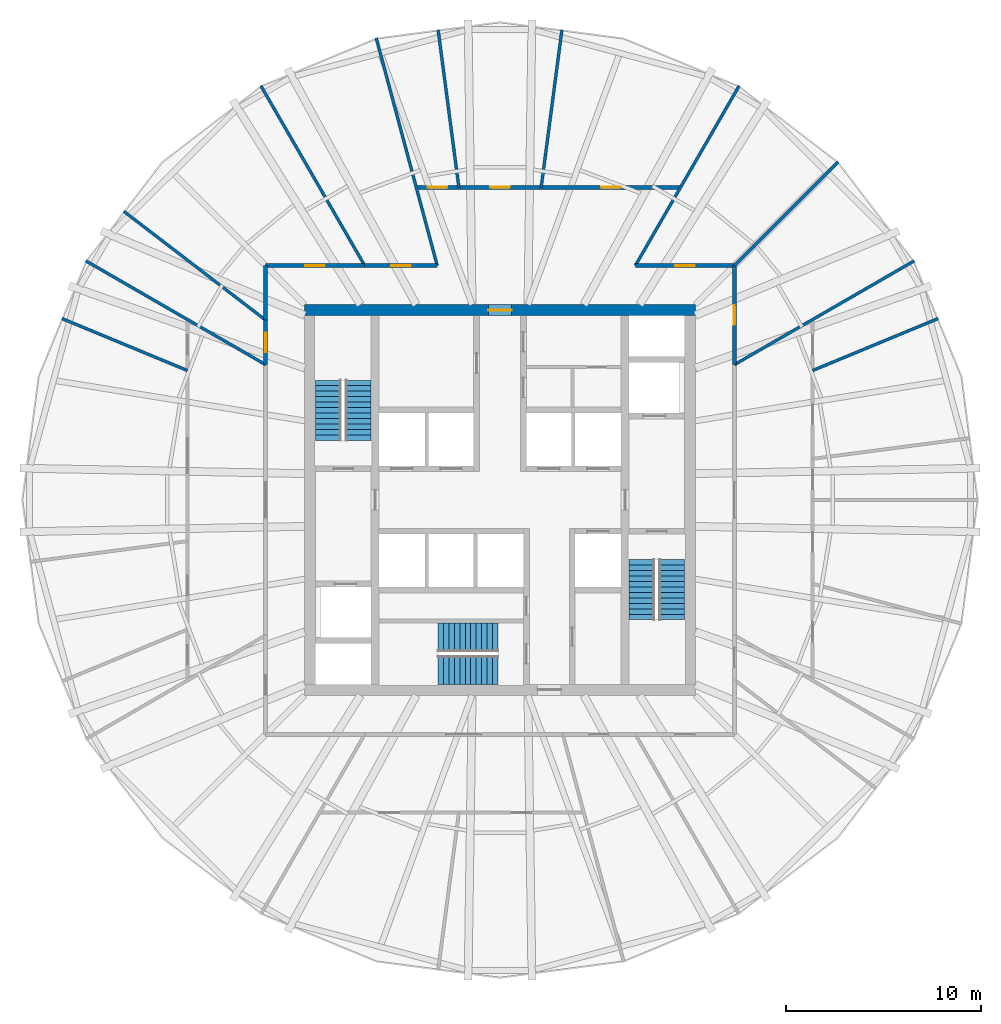
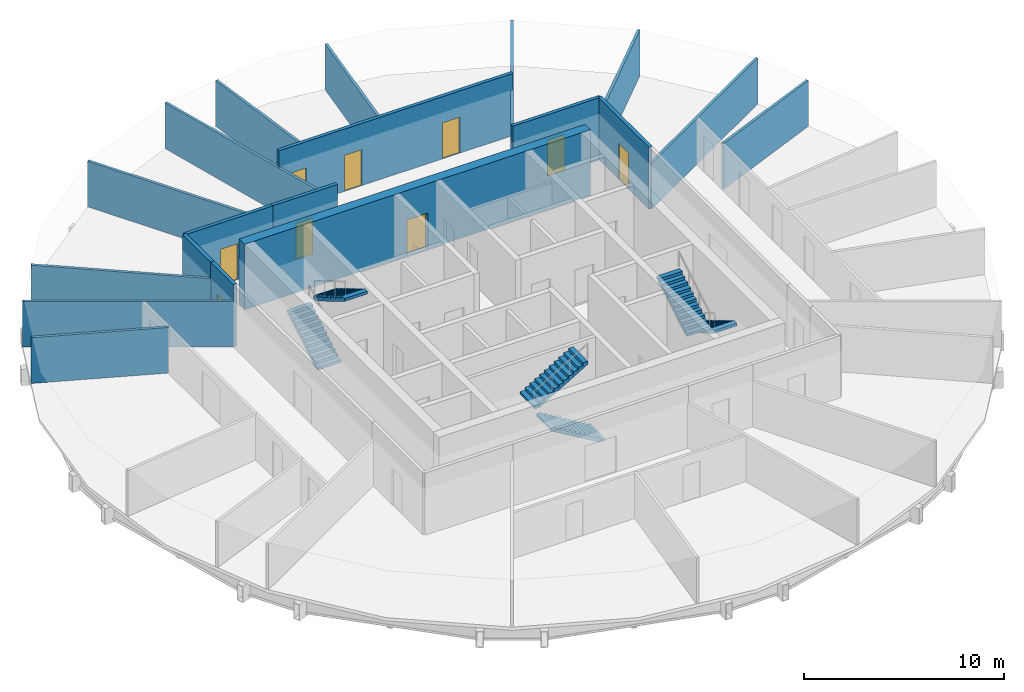
# One storey, part 5 of 6: 19 walls, 9 doors, 6 stair flights, 9 openings, 3 elements without a shape of their own.
"""IFC4 building model written with IfcOpenShell, lengths in metres."""

from ifc_helpers import new_model, si_unit, direction, frame, frame_2d, origin, place, context, subcontext, project, spatial, polyline, rectangle, outline, extrude, material, layer, layer_set, type_object, element, fill, aggregate, save


model = new_model("IFC4")

# Units and contexts
model_context = context("Model", 3, precision=1e-05, world=origin(), true_north=direction((0.0, 1.0)))
body_context = subcontext(model_context, "Body", "Model", "MODEL_VIEW")
ifc_project = project(units=[si_unit("LENGTHUNIT", "METRE"), si_unit("AREAUNIT", "SQUARE_METRE"), si_unit("VOLUMEUNIT", "CUBIC_METRE"), si_unit("PLANEANGLEUNIT", "RADIAN"), si_unit("MASSUNIT", "GRAM", prefix="KILO")], contexts=[model_context])

# Site, building, storey
site_placement = place(None, origin())
site = spatial("IfcSite", under=ifc_project, at=site_placement, CompositionType="ELEMENT")
building_placement = place(site_placement, origin())
building = spatial("IfcBuilding", under=site, at=building_placement, Name="Golbaran Civic Tower", CompositionType="ELEMENT")
storey_placement = place(building_placement, frame((0.0, 0.0, 114.0)))
storey = spatial("IfcBuildingStorey", under=building, at=storey_placement, Name="L27", CompositionType="ELEMENT", Elevation=114.0)

# Wall, opening, door
ifc_material_1 = material(Name="Concrete C50/60", Category="concrete")
ifc_layer_1 = layer(ifc_material_1, 0.550048828125, Name="Concrete C50/60")
ifc_layer_set_1 = layer_set([ifc_layer_1], Name="Concrete C50/60")
wall_type_1 = type_object("IfcWallType", Name="CORE WALL CONCRETE 550", PredefinedType="SOLIDWALL", material=ifc_layer_set_1)
wall_1_placement = place(storey_placement, frame((-10.0, 9.72509765625, 0.0), z_axis=(0.0, 0.0, 1.0), x_axis=(1.0, 0.0, 0.0)))
wall_1 = element("IfcWall", 1, at=wall_1_placement, inside=storey, type_object=wall_type_1, Name="Core wall CN L27", PredefinedType="SOLIDWALL", context=body_context, shape_type="SweptSolid", body=[
    extrude(rectangle(XDim=20.0, YDim=0.550048828125, at=frame_2d((10.0, 0.0))), origin(), (0.0, 0.0, 1.0), 4.0),
])
opening_1_placement = place(wall_1_placement, frame((9.39990234375, 0.0, 0.0)))
opening_1 = element("IfcOpeningElement", 2, at=opening_1_placement, cuts=wall_1, Name="Opening L27.CN", PredefinedType="OPENING", context=body_context, shape_type="SweptSolid", body=[
    extrude(rectangle(XDim=1.199951171875, YDim=2.199951171875, at=frame_2d((0.60009765625, 1.10009765625))), frame((0.0, 0.284912109375, 0.0), z_axis=(0.0, -1.0, 0.0), x_axis=(1.0, 0.0, 0.0)), (0.0, 0.0, 1.0), 0.570068359375),
])
ifc_material_2 = material(Name="Timber door set in steel frame", Category="steel")
door_type_1 = type_object("IfcDoorType", Name="CORE DOOR 1200x2200", OperationType="DOUBLE_DOOR_SINGLE_SWING", PredefinedType="DOOR", material=ifc_material_2)
door_1_placement = place(opening_1_placement, origin())
door_1 = element("IfcDoor", 3, at=door_1_placement, inside=storey, type_object=door_type_1, Name="Core door north", OperationType="DOUBLE_DOOR_SINGLE_SWING", OverallHeight=2.199951171875, OverallWidth=1.199951171875, PredefinedType="DOOR", context=body_context, shape_type="SweptSolid", body=[
    extrude(rectangle(XDim=1.199951171875, YDim=2.199951171875, at=frame_2d((0.60009765625, 1.10009765625))), frame((0.0, 0.02490234375, 0.0), z_axis=(0.0, -1.0, 0.0), x_axis=(1.0, 0.0, 0.0)), (0.0, 0.0, 1.0), 0.050048828125),
])
fill(opening_1, door_1)

ifc_material_3 = material(Name="Gypsum board on steel studs, fire-rated", Category="steel")
ifc_layer_2 = layer(ifc_material_3, 0.199951171875, Name="Gypsum board on steel studs, fire-rated")
ifc_layer_set_2 = layer_set([ifc_layer_2], Name="Gypsum board on steel studs, fire-rated")
wall_type_2 = type_object("IfcWallType", Name="CORRIDOR WALL 200", PredefinedType="PARTITIONING", material=ifc_layer_set_2)
wall_2_placement = place(storey_placement, frame((12.0, 6.92822265625, 0.0), z_axis=(0.0, 0.0, 1.0), x_axis=(0.0, 1.0, 0.0)))
wall_2 = element("IfcWall", 4, at=wall_2_placement, inside=storey, type_object=wall_type_2, Name="Corridor wall L27", PredefinedType="PARTITIONING", context=body_context, shape_type="SweptSolid", body=[
    extrude(rectangle(XDim=5.07177734375, YDim=0.199951171875, at=frame_2d((2.535888671875, 0.0))), origin(), (0.0, 0.0, 1.0), 3.800048828125),
])
opening_2_placement = place(wall_2_placement, frame((2.035888671875, 0.0, 0.0)))
opening_2 = element("IfcOpeningElement", 5, at=opening_2_placement, cuts=wall_2, Name="Opening L27.16", PredefinedType="OPENING", context=body_context, shape_type="SweptSolid", body=[
    extrude(rectangle(XDim=1.0, YDim=2.199951171875, at=frame_2d((0.5, 1.10009765625))), frame((0.0, 0.10986328125, 0.0), z_axis=(0.0, -1.0, 0.0), x_axis=(1.0, 0.0, 0.0)), (0.0, 0.0, 1.0), 0.219970703125),
])
door_type_2 = type_object("IfcDoorType", Name="OFFICE DOOR 1000x2200", OperationType="SINGLE_SWING_LEFT", PredefinedType="DOOR", material=ifc_material_2)
door_2_placement = place(opening_2_placement, origin())
door_2 = element("IfcDoor", 6, at=door_2_placement, inside=storey, type_object=door_type_2, Name="Prayer Room door L27", OperationType="SINGLE_SWING_LEFT", OverallHeight=2.199951171875, OverallWidth=1.0, PredefinedType="DOOR", context=body_context, shape_type="SweptSolid", body=[
    extrude(rectangle(XDim=1.0, YDim=2.199951171875, at=frame_2d((0.5, 1.10009765625))), frame((0.0, 0.02490234375, 0.0), z_axis=(0.0, -1.0, 0.0), x_axis=(1.0, 0.0, 0.0)), (0.0, 0.0, 1.0), 0.050048828125),
])
fill(opening_2, door_2)

wall_3_placement = place(storey_placement, frame((12.0, 12.0, 0.0), z_axis=(0.0, 0.0, 1.0), x_axis=(-1.0, 0.0, 0.0)))
wall_3 = element("IfcWall", 7, at=wall_3_placement, inside=storey, type_object=wall_type_2, Name="Corridor wall L27", PredefinedType="PARTITIONING", context=body_context, shape_type="SweptSolid", body=[
    extrude(rectangle(XDim=5.07177734375, YDim=0.199951171875, at=frame_2d((2.535888671875, 0.0))), origin(), (0.0, 0.0, 1.0), 3.800048828125),
])
opening_3_placement = place(wall_3_placement, frame((2.035888671875, 0.0, 0.0)))
opening_3 = element("IfcOpeningElement", 8, at=opening_3_placement, cuts=wall_3, Name="Opening L27.17", PredefinedType="OPENING", context=body_context, shape_type="SweptSolid", body=[
    extrude(rectangle(XDim=1.0, YDim=2.199951171875, at=frame_2d((0.5, 1.10009765625))), frame((0.0, 0.10986328125, 0.0), z_axis=(0.0, -1.0, 0.0), x_axis=(1.0, 0.0, 0.0)), (0.0, 0.0, 1.0), 0.219970703125),
])
door_3_placement = place(opening_3_placement, origin())
door_3 = element("IfcDoor", 9, at=door_3_placement, inside=storey, type_object=door_type_2, Name="Pantry door L27", OperationType="SINGLE_SWING_RIGHT", OverallHeight=2.199951171875, OverallWidth=1.0, PredefinedType="DOOR", context=body_context, shape_type="SweptSolid", body=[
    extrude(rectangle(XDim=1.0, YDim=2.199951171875, at=frame_2d((0.5, 1.10009765625))), frame((0.0, 0.02490234375, 0.0), z_axis=(0.0, -1.0, 0.0), x_axis=(1.0, 0.0, 0.0)), (0.0, 0.0, 1.0), 0.050048828125),
])
fill(opening_3, door_3)

wall_4_placement = place(storey_placement, frame((-3.21533203125, 12.0, 0.0), z_axis=(0.0, 0.0, 1.0), x_axis=(-1.0, 0.0, 0.0)))
wall_4 = element("IfcWall", 10, at=wall_4_placement, inside=storey, type_object=wall_type_2, Name="Corridor wall L27", PredefinedType="PARTITIONING", context=body_context, shape_type="SweptSolid", body=[
    extrude(rectangle(XDim=3.712890625, YDim=0.199951171875, at=frame_2d((1.8564453125, 0.0))), origin(), (0.0, 0.0, 1.0), 3.800048828125),
])
opening_4_placement = place(wall_4_placement, frame((1.3564453125, 0.0, 0.0)))
opening_4 = element("IfcOpeningElement", 11, at=opening_4_placement, cuts=wall_4, Name="Opening L27.18", PredefinedType="OPENING", context=body_context, shape_type="SweptSolid", body=[
    extrude(rectangle(XDim=1.0, YDim=2.199951171875, at=frame_2d((0.5, 1.10009765625))), frame((0.0, 0.10986328125, 0.0), z_axis=(0.0, -1.0, 0.0), x_axis=(1.0, 0.0, 0.0)), (0.0, 0.0, 1.0), 0.219970703125),
])
door_4_placement = place(opening_4_placement, origin())
door_4 = element("IfcDoor", 12, at=door_4_placement, inside=storey, type_object=door_type_2, Name="Meeting Room door L27", OperationType="SINGLE_SWING_RIGHT", OverallHeight=2.199951171875, OverallWidth=1.0, PredefinedType="DOOR", context=body_context, shape_type="SweptSolid", body=[
    extrude(rectangle(XDim=1.0, YDim=2.199951171875, at=frame_2d((0.5, 1.10009765625))), frame((0.0, 0.02490234375, 0.0), z_axis=(0.0, -1.0, 0.0), x_axis=(1.0, 0.0, 0.0)), (0.0, 0.0, 1.0), 0.050048828125),
])
fill(opening_4, door_4)

wall_5_placement = place(storey_placement, frame((-6.92822265625, 12.0, 0.0), z_axis=(0.0, 0.0, 1.0), x_axis=(-1.0, 0.0, 0.0)))
wall_5 = element("IfcWall", 13, at=wall_5_placement, inside=storey, type_object=wall_type_2, Name="Corridor wall L27", PredefinedType="PARTITIONING", context=body_context, shape_type="SweptSolid", body=[
    extrude(rectangle(XDim=5.07177734375, YDim=0.199951171875, at=frame_2d((2.535888671875, 0.0))), origin(), (0.0, 0.0, 1.0), 3.800048828125),
])
opening_5_placement = place(wall_5_placement, frame((2.035888671875, 0.0, 0.0)))
opening_5 = element("IfcOpeningElement", 14, at=opening_5_placement, cuts=wall_5, Name="Opening L27.19", PredefinedType="OPENING", context=body_context, shape_type="SweptSolid", body=[
    extrude(rectangle(XDim=1.0, YDim=2.199951171875, at=frame_2d((0.5, 1.10009765625))), frame((0.0, 0.10986328125, 0.0), z_axis=(0.0, -1.0, 0.0), x_axis=(1.0, 0.0, 0.0)), (0.0, 0.0, 1.0), 0.219970703125),
])
door_5_placement = place(opening_5_placement, origin())
door_5 = element("IfcDoor", 15, at=door_5_placement, inside=storey, type_object=door_type_2, Name="Meeting Room door L27", OperationType="SINGLE_SWING_RIGHT", OverallHeight=2.199951171875, OverallWidth=1.0, PredefinedType="DOOR", context=body_context, shape_type="SweptSolid", body=[
    extrude(rectangle(XDim=1.0, YDim=2.199951171875, at=frame_2d((0.5, 1.10009765625))), frame((0.0, 0.02490234375, 0.0), z_axis=(0.0, -1.0, 0.0), x_axis=(1.0, 0.0, 0.0)), (0.0, 0.0, 1.0), 0.050048828125),
])
fill(opening_5, door_5)

# Wall
wall_6_placement = place(storey_placement, frame((-12.0, 12.0, 0.0), z_axis=(0.0, 0.0, 1.0), x_axis=(0.0, -1.0, 0.0)))
element("IfcWall", 16, at=wall_6_placement, inside=storey, type_object=wall_type_2, Name="Corridor wall L27", PredefinedType="PARTITIONING", context=body_context, shape_type="SweptSolid", body=[
    extrude(rectangle(XDim=2.7919921875, YDim=0.199951171875, at=frame_2d((1.39599609375, 0.0))), origin(), (0.0, 0.0, 1.0), 3.800048828125),
])

# Wall, opening, door
wall_7_placement = place(storey_placement, frame((-12.0, 9.2080078125, 0.0), z_axis=(0.0, 0.0, 1.0), x_axis=(0.0, -1.0, 0.0)))
wall_7 = element("IfcWall", 17, at=wall_7_placement, inside=storey, type_object=wall_type_2, Name="Corridor wall L27", PredefinedType="PARTITIONING", context=body_context, shape_type="SweptSolid", body=[
    extrude(rectangle(XDim=2.27978515625, YDim=0.199951171875, at=frame_2d((1.139892578125, 0.0))), origin(), (0.0, 0.0, 1.0), 3.800048828125),
])
opening_6_placement = place(wall_7_placement, frame((0.639892578125, 0.0, 0.0)))
opening_6 = element("IfcOpeningElement", 18, at=opening_6_placement, cuts=wall_7, Name="Opening L27.20", PredefinedType="OPENING", context=body_context, shape_type="SweptSolid", body=[
    extrude(rectangle(XDim=1.0, YDim=2.199951171875, at=frame_2d((0.5, 1.10009765625))), frame((0.0, 0.10986328125, 0.0), z_axis=(0.0, -1.0, 0.0), x_axis=(1.0, 0.0, 0.0)), (0.0, 0.0, 1.0), 0.219970703125),
])
door_6_placement = place(opening_6_placement, origin())
door_6 = element("IfcDoor", 19, at=door_6_placement, inside=storey, type_object=door_type_2, Name="Print and Copy Room door L27", OperationType="SINGLE_SWING_RIGHT", OverallHeight=2.199951171875, OverallWidth=1.0, PredefinedType="DOOR", context=body_context, shape_type="SweptSolid", body=[
    extrude(rectangle(XDim=1.0, YDim=2.199951171875, at=frame_2d((0.5, 1.10009765625))), frame((0.0, 0.02490234375, 0.0), z_axis=(0.0, -1.0, 0.0), x_axis=(1.0, 0.0, 0.0)), (0.0, 0.0, 1.0), 0.050048828125),
])
fill(opening_6, door_6)

# Wall, openings, doors
ifc_material_4 = material(Name="Gypsum board on steel studs, fire-rated, glazed panels", Category="steel")
ifc_layer_3 = layer(ifc_material_4, 0.199951171875, Name="Gypsum board on steel studs, fire-rated, glazed panels")
ifc_layer_set_3 = layer_set([ifc_layer_3], Name="Gypsum board on steel studs, fire-rated, glazed panels")
wall_type_3 = type_object("IfcWallType", Name="GALLERY WALL 200", PredefinedType="PARTITIONING", material=ifc_layer_set_3)
wall_8_placement = place(storey_placement, frame((9.237548828125, 16.0, 0.0), z_axis=(0.0, 0.0, 1.0), x_axis=(-1.0, 0.0, 0.0)))
wall_8 = element("IfcWall", 20, at=wall_8_placement, inside=storey, type_object=wall_type_3, Name="Gallery wall L27", PredefinedType="PARTITIONING", context=body_context, shape_type="SweptSolid", body=[
    extrude(rectangle(XDim=13.524658203125, YDim=0.199951171875, at=frame_2d((6.76220703125, 0.0))), origin(), (0.0, 0.0, 1.0), 3.800048828125),
])
opening_7_placement = place(wall_8_placement, frame((3.065673828125, 0.0, 0.0)))
opening_7 = element("IfcOpeningElement", 21, at=opening_7_placement, cuts=wall_8, Name="Opening L27.06", PredefinedType="OPENING", context=body_context, shape_type="SweptSolid", body=[
    extrude(rectangle(XDim=1.0, YDim=2.199951171875, at=frame_2d((0.5, 1.10009765625))), frame((0.0, 0.10986328125, 0.0), z_axis=(0.0, -1.0, 0.0), x_axis=(1.0, 0.0, 0.0)), (0.0, 0.0, 1.0), 0.219970703125),
])
opening_8_placement = place(wall_8_placement, frame((8.737548828125, 0.0, 0.0)))
opening_8 = element("IfcOpeningElement", 22, at=opening_8_placement, cuts=wall_8, Name="Opening L27.07", PredefinedType="OPENING", context=body_context, shape_type="SweptSolid", body=[
    extrude(rectangle(XDim=1.0, YDim=2.199951171875, at=frame_2d((0.5, 1.10009765625))), frame((0.0, 0.10986328125, 0.0), z_axis=(0.0, -1.0, 0.0), x_axis=(1.0, 0.0, 0.0)), (0.0, 0.0, 1.0), 0.219970703125),
])
opening_9_placement = place(wall_8_placement, frame((11.934326171875, 0.0, 0.0)))
opening_9 = element("IfcOpeningElement", 23, at=opening_9_placement, cuts=wall_8, Name="Opening L27.08", PredefinedType="OPENING", context=body_context, shape_type="SweptSolid", body=[
    extrude(rectangle(XDim=1.0, YDim=2.199951171875, at=frame_2d((0.5, 1.10009765625))), frame((0.0, 0.10986328125, 0.0), z_axis=(0.0, -1.0, 0.0), x_axis=(1.0, 0.0, 0.0)), (0.0, 0.0, 1.0), 0.219970703125),
])
door_7_placement = place(opening_7_placement, origin())
door_7 = element("IfcDoor", 24, at=door_7_placement, inside=storey, type_object=door_type_2, Name="Office door L27", OperationType="SINGLE_SWING_LEFT", OverallHeight=2.199951171875, OverallWidth=1.0, PredefinedType="DOOR", context=body_context, shape_type="SweptSolid", body=[
    extrude(rectangle(XDim=1.0, YDim=2.199951171875, at=frame_2d((0.5, 1.10009765625))), frame((0.0, 0.02490234375, 0.0), z_axis=(0.0, -1.0, 0.0), x_axis=(1.0, 0.0, 0.0)), (0.0, 0.0, 1.0), 0.050048828125),
])
fill(opening_7, door_7)
door_8_placement = place(opening_8_placement, origin())
door_8 = element("IfcDoor", 25, at=door_8_placement, inside=storey, type_object=door_type_2, Name="Office door L27", OperationType="SINGLE_SWING_RIGHT", OverallHeight=2.199951171875, OverallWidth=1.0, PredefinedType="DOOR", context=body_context, shape_type="SweptSolid", body=[
    extrude(rectangle(XDim=1.0, YDim=2.199951171875, at=frame_2d((0.5, 1.10009765625))), frame((0.0, 0.02490234375, 0.0), z_axis=(0.0, -1.0, 0.0), x_axis=(1.0, 0.0, 0.0)), (0.0, 0.0, 1.0), 0.050048828125),
])
fill(opening_8, door_8)
door_9_placement = place(opening_9_placement, origin())
door_9 = element("IfcDoor", 26, at=door_9_placement, inside=storey, type_object=door_type_2, Name="Director's Office door L27", OperationType="SINGLE_SWING_RIGHT", OverallHeight=2.199951171875, OverallWidth=1.0, PredefinedType="DOOR", context=body_context, shape_type="SweptSolid", body=[
    extrude(rectangle(XDim=1.0, YDim=2.199951171875, at=frame_2d((0.5, 1.10009765625))), frame((0.0, 0.02490234375, 0.0), z_axis=(0.0, -1.0, 0.0), x_axis=(1.0, 0.0, 0.0)), (0.0, 0.0, 1.0), 0.050048828125),
])
fill(opening_9, door_9)

# Walls
ifc_material_5 = material(Name="Gypsum board on steel studs", Category="steel")
ifc_layer_4 = layer(ifc_material_5, 0.14990234375, Name="Gypsum board on steel studs")
ifc_layer_set_4 = layer_set([ifc_layer_4], Name="Gypsum board on steel studs")
wall_type_4 = type_object("IfcWallType", Name="OFFICE PARTITION 150", PredefinedType="PARTITIONING", material=ifc_layer_set_4)
wall_9_placement = place(storey_placement, frame((12.0, 6.92822265625, 0.0), z_axis=(0.0, 0.0, 1.0), x_axis=(0.866024197053, 0.500002090115, 0.0)))
element("IfcWall", 27, at=wall_9_placement, inside=storey, type_object=wall_type_4, Name="Partition 30 L27", PredefinedType="PARTITIONING", context=body_context, shape_type="SweptSolid", body=[
    extrude(rectangle(XDim=10.630859375, YDim=0.14990234375, at=frame_2d((5.3154296875, 0.0))), origin(), (0.0, 0.0, 1.0), 2.7900390625),
])
wall_10_placement = place(storey_placement, frame((12.0, 12.0, 0.0), z_axis=(0.0, 0.0, 1.0), x_axis=(0.707106781187, 0.707106781187, 0.0)))
element("IfcWall", 28, at=wall_10_placement, inside=storey, type_object=wall_type_4, Name="Partition 45 L27", PredefinedType="PARTITIONING", context=body_context, shape_type="SweptSolid", body=[
    extrude(rectangle(XDim=7.516845703125, YDim=0.14990234375, at=frame_2d((3.75830078125, 0.0))), origin(), (0.0, 0.0, 1.0), 2.7900390625),
])
wall_11_placement = place(storey_placement, frame((6.92822265625, 12.0, 0.0), z_axis=(0.0, 0.0, 1.0), x_axis=(0.500002090115, 0.866024197053, 0.0)))
element("IfcWall", 29, at=wall_11_placement, inside=storey, type_object=wall_type_4, Name="Partition 60 L27", PredefinedType="PARTITIONING", context=body_context, shape_type="SweptSolid", body=[
    extrude(rectangle(XDim=10.630859375, YDim=0.14990234375, at=frame_2d((5.3154296875, 0.0))), origin(), (0.0, 0.0, 1.0), 2.7900390625),
])
wall_12_placement = place(storey_placement, frame((-3.21533203125, 12.0, 0.0), z_axis=(0.0, 0.0, 1.0), x_axis=(-0.258814986396, 0.965926913807, 0.0)))
element("IfcWall", 30, at=wall_12_placement, inside=storey, type_object=wall_type_4, Name="Partition 105 L27", PredefinedType="PARTITIONING", context=body_context, shape_type="SweptSolid", body=[
    extrude(rectangle(XDim=12.06396484375, YDim=0.14990234375, at=frame_2d((6.031982421875, 0.0))), origin(), (0.0, 0.0, 1.0), 2.7900390625),
])
wall_13_placement = place(storey_placement, frame((-6.92822265625, 12.0, 0.0), z_axis=(0.0, 0.0, 1.0), x_axis=(-0.500002090115, 0.866024197053, 0.0)))
element("IfcWall", 31, at=wall_13_placement, inside=storey, type_object=wall_type_4, Name="Partition 120 L27", PredefinedType="PARTITIONING", context=body_context, shape_type="SweptSolid", body=[
    extrude(rectangle(XDim=10.630859375, YDim=0.14990234375, at=frame_2d((5.3154296875, 0.0))), origin(), (0.0, 0.0, 1.0), 2.7900390625),
])
wall_14_placement = place(storey_placement, frame((-12.0, 9.2080078125, 0.0), z_axis=(0.0, 0.0, 1.0), x_axis=(-0.793357264949, 0.608756314261, 0.0)))
element("IfcWall", 32, at=wall_14_placement, inside=storey, type_object=wall_type_4, Name="Partition 142.5 L27", PredefinedType="PARTITIONING", context=body_context, shape_type="SweptSolid", body=[
    extrude(rectangle(XDim=9.15185546875, YDim=0.14990234375, at=frame_2d((4.575927734375, 0.0))), origin(), (0.0, 0.0, 1.0), 2.7900390625),
])
wall_15_placement = place(storey_placement, frame((-12.0, 6.92822265625, 0.0), z_axis=(0.0, 0.0, 1.0), x_axis=(-0.866024197053, 0.500002090115, 0.0)))
element("IfcWall", 33, at=wall_15_placement, inside=storey, type_object=wall_type_4, Name="Partition 150 L27", PredefinedType="PARTITIONING", context=body_context, shape_type="SweptSolid", body=[
    extrude(rectangle(XDim=10.630859375, YDim=0.14990234375, at=frame_2d((5.3154296875, 0.0))), origin(), (0.0, 0.0, 1.0), 2.7900390625),
])
wall_16_placement = place(storey_placement, frame((16.0, 6.62744140625, 0.0), z_axis=(0.0, 0.0, 1.0), x_axis=(0.923876163616, 0.382691565496, 0.0)))
element("IfcWall", 34, at=wall_16_placement, inside=storey, type_object=wall_type_4, Name="Partition 22.5 L27", PredefinedType="PARTITIONING", context=body_context, shape_type="SweptSolid", body=[
    extrude(rectangle(XDim=6.95947265625, YDim=0.14990234375, at=frame_2d((3.479736328125, 0.0))), origin(), (0.0, 0.0, 1.0), 2.7900390625),
])
for number, where, z_axis, x_axis, name in (
    (35, (2.1064453125, 16.0, 0.0), (0.0, 0.0, 1.0), (0.13053287573, 0.99144398145, 0.0), "Partition 82.5 L27"),
    (36, (-2.1064453125, 16.0, 0.0), (0.0, 0.0, 1.0), (-0.13053287573, 0.99144398145, 0.0), "Partition 97.5 L27"),
):
    element("IfcWall", number, at=place(storey_placement, frame(where, z_axis=z_axis, x_axis=x_axis)), inside=storey, type_object=wall_type_4, Name=name, PredefinedType="PARTITIONING", context=body_context, shape_type="SweptSolid", body=[
        extrude(rectangle(XDim=8.1396484375, YDim=0.14990234375, at=frame_2d((4.06982421875, 0.0))), origin(), (0.0, 0.0, 1.0), 2.7900390625),
    ])
wall_17_placement = place(storey_placement, frame((-16.0, 6.62744140625, 0.0), z_axis=(0.0, 0.0, 1.0), x_axis=(-0.923876163616, 0.382691565496, 0.0)))
element("IfcWall", 37, at=wall_17_placement, inside=storey, type_object=wall_type_4, Name="Partition 157.5 L27", PredefinedType="PARTITIONING", context=body_context, shape_type="SweptSolid", body=[
    extrude(rectangle(XDim=6.95947265625, YDim=0.14990234375, at=frame_2d((3.479736328125, 0.0))), origin(), (0.0, 0.0, 1.0), 2.7900390625),
])

# Stair, stair flights
ifc_material_6 = material(Name="Concrete C35/45", Category="concrete")
stair_type_1 = type_object("IfcStairType", Name="EXIT STAIR 2850 x 7700, 4000 RISE", PredefinedType="HALF_TURN_STAIR", material=ifc_material_6)
stair_1_placement = place(storey_placement, origin())
stair_1 = element("IfcStair", 38, at=stair_1_placement, inside=storey, type_object=stair_type_1, Name="Stair S1 L27", PredefinedType="HALF_TURN_STAIR")
stair_flight_type_1 = type_object("IfcStairFlightType", Name="STAIR FLIGHT 1325 WIDE", PredefinedType="STRAIGHT", material=ifc_material_6)
stair_flight_1_placement = place(storey_placement, frame((-8.78759765625, 3.050048828125, 0.0), z_axis=(0.0, 0.0, 1.0), x_axis=(0.0, 1.0, 0.0)))
stair_flight_1 = element("IfcStairFlight", 39, at=stair_flight_1_placement, type_object=stair_flight_type_1, Name="ST28577-40 flight 1", NumberOfRisers=12, NumberOfTreads=11, PredefinedType="STRAIGHT", RiserHeight=0.166666667, TreadLength=0.28, context=body_context, shape_type="SweptSolid", body=[
    extrude(outline(polyline([(0.0, 0.0), (0.0, 0.166748046875), (0.280029296875, 0.166748046875), (0.280029296875, 0.333251953125), (0.56005859375, 0.333251953125), (0.56005859375, 0.5), (0.840087890625, 0.5), (0.840087890625, 0.666748046875), (1.1201171875, 0.666748046875), (1.1201171875, 0.833251953125), (1.39990234375, 0.833251953125), (1.39990234375, 1.0), (1.679931640625, 1.0), (1.679931640625, 1.166748046875), (1.9599609375, 1.166748046875), (1.9599609375, 1.333251953125), (2.239990234375, 1.333251953125), (2.239990234375, 1.5), (2.52001953125, 1.5), (2.52001953125, 1.666748046875), (2.800048828125, 1.666748046875), (2.800048828125, 1.833251953125), (3.080078125, 1.833251953125), (3.080078125, 2.0), (3.080078125, 1.658935546875), (0.29296875, 0.0), (0.0, 0.0)])), frame((0.0, 0.66259765625, 0.0), z_axis=(0.0, -1.0, 0.0), x_axis=(1.0, 0.0, 0.0)), (0.0, 0.0, 1.0), 1.324951171875),
])
stair_flight_2_placement = place(storey_placement, frame((-7.262451171875, 6.1298828125, 2.0), z_axis=(0.0, 0.0, 1.0), x_axis=(0.0, -1.0, 0.0)))
stair_flight_2 = element("IfcStairFlight", 40, at=stair_flight_2_placement, type_object=stair_flight_type_1, Name="ST28577-40 flight 2", NumberOfRisers=12, NumberOfTreads=11, PredefinedType="STRAIGHT", RiserHeight=0.166666667, TreadLength=0.28, context=body_context, shape_type="SweptSolid", body=[
    extrude(outline(polyline([(0.0, 0.0), (0.0, 0.166748046875), (0.280029296875, 0.166748046875), (0.280029296875, 0.333251953125), (0.56005859375, 0.333251953125), (0.56005859375, 0.5), (0.840087890625, 0.5), (0.840087890625, 0.666748046875), (1.1201171875, 0.666748046875), (1.1201171875, 0.833251953125), (1.39990234375, 0.833251953125), (1.39990234375, 1.0), (1.679931640625, 1.0), (1.679931640625, 1.166748046875), (1.9599609375, 1.166748046875), (1.9599609375, 1.333251953125), (2.239990234375, 1.333251953125), (2.239990234375, 1.5), (2.52001953125, 1.5), (2.52001953125, 1.666748046875), (2.800048828125, 1.666748046875), (2.800048828125, 1.833251953125), (3.080078125, 1.833251953125), (3.080078125, 2.0), (3.080078125, 1.658935546875), (0.29296875, 0.0), (0.0, 0.0)])), frame((0.0, 0.66259765625, 0.0), z_axis=(0.0, -1.0, 0.0), x_axis=(1.0, 0.0, 0.0)), (0.0, 0.0, 1.0), 1.324951171875),
])
aggregate(stair_1, [stair_flight_1, stair_flight_2])

stair_2_placement = place(storey_placement, origin())
stair_2 = element("IfcStair", 41, at=stair_2_placement, inside=storey, type_object=stair_type_1, Name="Stair S2 L27", PredefinedType="HALF_TURN_STAIR")
stair_flight_3_placement = place(storey_placement, frame((8.78759765625, -3.050048828125, 0.0), z_axis=(0.0, 0.0, 1.0), x_axis=(0.0, -1.0, 0.0)))
stair_flight_3 = element("IfcStairFlight", 42, at=stair_flight_3_placement, type_object=stair_flight_type_1, Name="ST28577-40 flight 1", NumberOfRisers=12, NumberOfTreads=11, PredefinedType="STRAIGHT", RiserHeight=0.166666667, TreadLength=0.28, context=body_context, shape_type="SweptSolid", body=[
    extrude(outline(polyline([(0.0, 0.0), (0.0, 0.166748046875), (0.280029296875, 0.166748046875), (0.280029296875, 0.333251953125), (0.56005859375, 0.333251953125), (0.56005859375, 0.5), (0.840087890625, 0.5), (0.840087890625, 0.666748046875), (1.1201171875, 0.666748046875), (1.1201171875, 0.833251953125), (1.39990234375, 0.833251953125), (1.39990234375, 1.0), (1.679931640625, 1.0), (1.679931640625, 1.166748046875), (1.9599609375, 1.166748046875), (1.9599609375, 1.333251953125), (2.239990234375, 1.333251953125), (2.239990234375, 1.5), (2.52001953125, 1.5), (2.52001953125, 1.666748046875), (2.800048828125, 1.666748046875), (2.800048828125, 1.833251953125), (3.080078125, 1.833251953125), (3.080078125, 2.0), (3.080078125, 1.658935546875), (0.29296875, 0.0), (0.0, 0.0)])), frame((0.0, 0.66259765625, 0.0), z_axis=(0.0, -1.0, 0.0), x_axis=(1.0, 0.0, 0.0)), (0.0, 0.0, 1.0), 1.324951171875),
])
stair_flight_4_placement = place(storey_placement, frame((7.262451171875, -6.1298828125, 2.0), z_axis=(0.0, 0.0, 1.0), x_axis=(0.0, 1.0, 0.0)))
stair_flight_4 = element("IfcStairFlight", 43, at=stair_flight_4_placement, type_object=stair_flight_type_1, Name="ST28577-40 flight 2", NumberOfRisers=12, NumberOfTreads=11, PredefinedType="STRAIGHT", RiserHeight=0.166666667, TreadLength=0.28, context=body_context, shape_type="SweptSolid", body=[
    extrude(outline(polyline([(0.0, 0.0), (0.0, 0.166748046875), (0.280029296875, 0.166748046875), (0.280029296875, 0.333251953125), (0.56005859375, 0.333251953125), (0.56005859375, 0.5), (0.840087890625, 0.5), (0.840087890625, 0.666748046875), (1.1201171875, 0.666748046875), (1.1201171875, 0.833251953125), (1.39990234375, 0.833251953125), (1.39990234375, 1.0), (1.679931640625, 1.0), (1.679931640625, 1.166748046875), (1.9599609375, 1.166748046875), (1.9599609375, 1.333251953125), (2.239990234375, 1.333251953125), (2.239990234375, 1.5), (2.52001953125, 1.5), (2.52001953125, 1.666748046875), (2.800048828125, 1.666748046875), (2.800048828125, 1.833251953125), (3.080078125, 1.833251953125), (3.080078125, 2.0), (3.080078125, 1.658935546875), (0.29296875, 0.0), (0.0, 0.0)])), frame((0.0, 0.66259765625, 0.0), z_axis=(0.0, -1.0, 0.0), x_axis=(1.0, 0.0, 0.0)), (0.0, 0.0, 1.0), 1.324951171875),
])
aggregate(stair_2, [stair_flight_3, stair_flight_4])

stair_type_2 = type_object("IfcStairType", Name="EXIT STAIR 3150 x 7400, 4000 RISE", PredefinedType="HALF_TURN_STAIR", material=ifc_material_6)
stair_3_placement = place(storey_placement, origin())
stair_3 = element("IfcStair", 44, at=stair_3_placement, inside=storey, type_object=stair_type_2, Name="Stair S3 L27", PredefinedType="HALF_TURN_STAIR")
stair_flight_type_2 = type_object("IfcStairFlightType", Name="STAIR FLIGHT 1475 WIDE", PredefinedType="STRAIGHT", material=ifc_material_6)
stair_flight_5_placement = place(storey_placement, frame((-0.10009765625, -8.71240234375, 0.0), z_axis=(0.0, 0.0, 1.0), x_axis=(-1.0, 0.0, 0.0)))
stair_flight_5 = element("IfcStairFlight", 45, at=stair_flight_5_placement, type_object=stair_flight_type_2, Name="ST31574-40 flight 1", NumberOfRisers=12, NumberOfTreads=11, PredefinedType="STRAIGHT", RiserHeight=0.166666667, TreadLength=0.28, context=body_context, shape_type="SweptSolid", body=[
    extrude(outline(polyline([(0.0, 0.0), (0.0, 0.166748046875), (0.280029296875, 0.166748046875), (0.280029296875, 0.333251953125), (0.56005859375, 0.333251953125), (0.56005859375, 0.5), (0.840087890625, 0.5), (0.840087890625, 0.666748046875), (1.1201171875, 0.666748046875), (1.1201171875, 0.833251953125), (1.39990234375, 0.833251953125), (1.39990234375, 1.0), (1.679931640625, 1.0), (1.679931640625, 1.166748046875), (1.9599609375, 1.166748046875), (1.9599609375, 1.333251953125), (2.239990234375, 1.333251953125), (2.239990234375, 1.5), (2.52001953125, 1.5), (2.52001953125, 1.666748046875), (2.800048828125, 1.666748046875), (2.800048828125, 1.833251953125), (3.080078125, 1.833251953125), (3.080078125, 2.0), (3.080078125, 1.658935546875), (0.29296875, 0.0), (0.0, 0.0)])), frame((0.0, 0.737548828125, 0.0), z_axis=(0.0, -1.0, 0.0), x_axis=(1.0, 0.0, 0.0)), (0.0, 0.0, 1.0), 1.47509765625),
])
stair_flight_6_placement = place(storey_placement, frame((-3.179931640625, -7.03759765625, 2.0), z_axis=(0.0, 0.0, 1.0), x_axis=(1.0, 0.0, 0.0)))
stair_flight_6 = element("IfcStairFlight", 46, at=stair_flight_6_placement, type_object=stair_flight_type_2, Name="ST31574-40 flight 2", NumberOfRisers=12, NumberOfTreads=11, PredefinedType="STRAIGHT", RiserHeight=0.166666667, TreadLength=0.28, context=body_context, shape_type="SweptSolid", body=[
    extrude(outline(polyline([(0.0, 0.0), (0.0, 0.166748046875), (0.280029296875, 0.166748046875), (0.280029296875, 0.333251953125), (0.56005859375, 0.333251953125), (0.56005859375, 0.5), (0.840087890625, 0.5), (0.840087890625, 0.666748046875), (1.1201171875, 0.666748046875), (1.1201171875, 0.833251953125), (1.39990234375, 0.833251953125), (1.39990234375, 1.0), (1.679931640625, 1.0), (1.679931640625, 1.166748046875), (1.9599609375, 1.166748046875), (1.9599609375, 1.333251953125), (2.239990234375, 1.333251953125), (2.239990234375, 1.5), (2.52001953125, 1.5), (2.52001953125, 1.666748046875), (2.800048828125, 1.666748046875), (2.800048828125, 1.833251953125), (3.080078125, 1.833251953125), (3.080078125, 2.0), (3.080078125, 1.658935546875), (0.29296875, 0.0), (0.0, 0.0)])), frame((0.0, 0.737548828125, 0.0), z_axis=(0.0, -1.0, 0.0), x_axis=(1.0, 0.0, 0.0)), (0.0, 0.0, 1.0), 1.47509765625),
])
aggregate(stair_3, [stair_flight_5, stair_flight_6])

save(model, "model.ifc")
